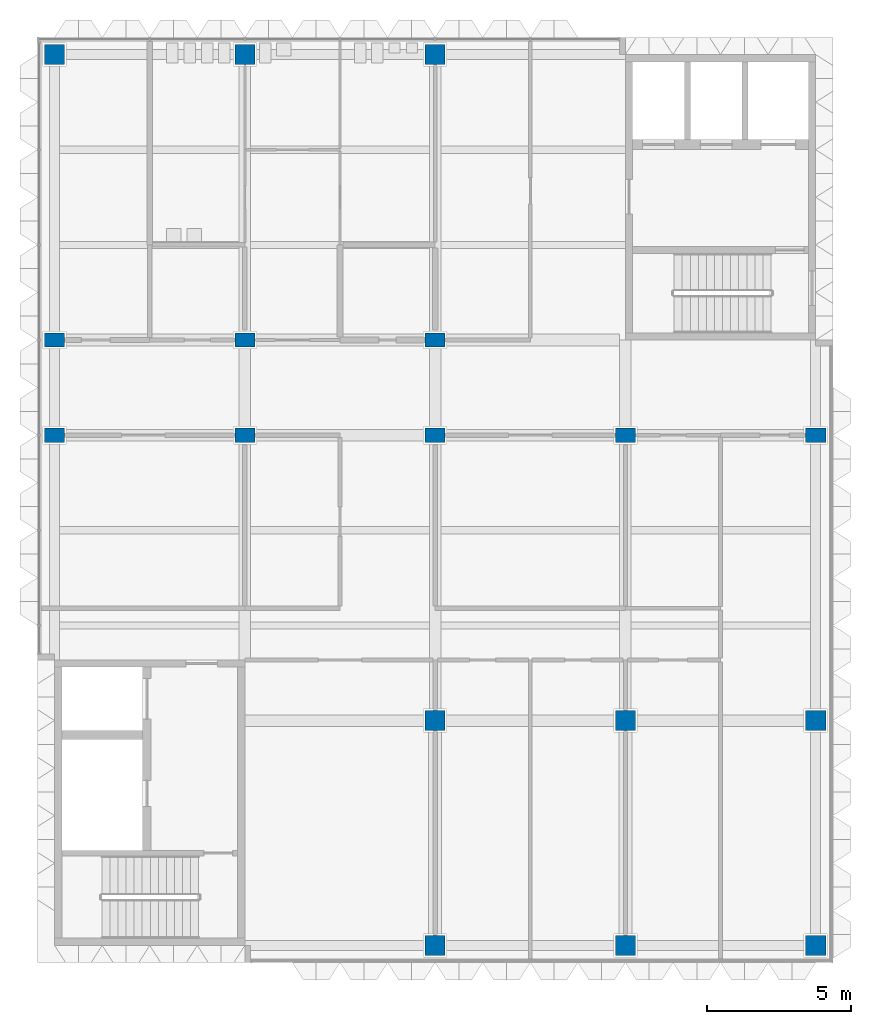
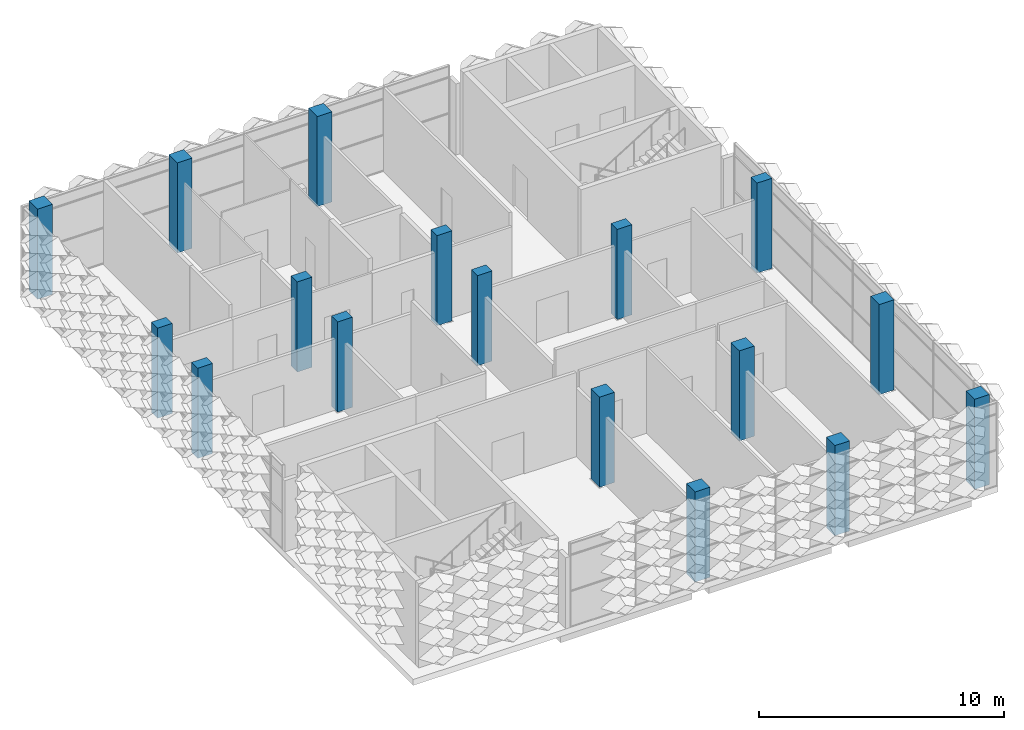
# One storey, part 1 of 29: 17 columns.
"""IFC4 building model written with IfcOpenShell, lengths in metres."""

from ifc_helpers import new_model, si_unit, direction, frame, origin, origin_2d, place, context, subcontext, project, spatial, rectangle, extrude, material, material_profile, profile_set, type_object, element, save


model = new_model("IFC4")

# Units and contexts
model_context = context("Model", 3, precision=1e-05, world=origin(), true_north=direction((0.0, 1.0)))
body_context = subcontext(model_context, "Body", "Model", "MODEL_VIEW")
ifc_project = project(units=[si_unit("LENGTHUNIT", "METRE"), si_unit("AREAUNIT", "SQUARE_METRE"), si_unit("VOLUMEUNIT", "CUBIC_METRE"), si_unit("PLANEANGLEUNIT", "RADIAN"), si_unit("MASSUNIT", "GRAM", prefix="KILO")], contexts=[model_context])

# Site, building, storey
site_placement = place(None, origin())
site = spatial("IfcSite", under=ifc_project, at=site_placement, CompositionType="ELEMENT")
building_placement = place(site_placement, origin())
building = spatial("IfcBuilding", under=site, at=building_placement, Name="Lantern Court Research Institute", CompositionType="ELEMENT")
storey_placement = place(building_placement, frame((0.0, 0.0, 32.39990234375)))
storey = spatial("IfcBuildingStorey", under=building, at=storey_placement, Name="L07", CompositionType="ELEMENT", Elevation=32.39990234375)

# Columns
ifc_material_1 = material(Name="Concrete C40/50", Category="concrete")
ifc_material_profile_1 = material_profile(ifc_material_1, rectangle(XDim=0.699951171875, YDim=0.5, at=origin_2d()), Name="RC column 700 x 500")
ifc_profile_set_1 = profile_set([ifc_material_profile_1], Name="Concrete C40/50")
column_type_1 = type_object("IfcColumnType", Name="RC column 700 x 500", PredefinedType="COLUMN", material=ifc_profile_set_1)
for number, where, z_axis, x_axis, name in (
    (1, (52.800048828125, 9.89990234375, 0.0), (0.0, 0.0, 1.0), (1.0, 0.0, 0.0), "Column L07 grid 9/B"),
    (2, (52.800048828125, 13.199951171875, 0.0), (0.0, 0.0, 1.0), (1.0, 0.0, 0.0), "Column L07 grid 9/C"),
    (3, (59.39990234375, 9.89990234375, 0.0), (0.0, 0.0, 1.0), (1.0, 0.0, 0.0), "Column L07 grid 10/B"),
    (4, (59.39990234375, 13.199951171875, 0.0), (0.0, 0.0, 1.0), (1.0, 0.0, 0.0), "Column L07 grid 10/C"),
    (5, (66.0, 9.89990234375, 0.0), (0.0, 0.0, 1.0), (1.0, 0.0, 0.0), "Column L07 grid 11/B"),
    (6, (66.0, 13.199951171875, 0.0), (0.0, 0.0, 1.0), (1.0, 0.0, 0.0), "Column L07 grid 11/C"),
    (7, (72.60009765625, 9.89990234375, 0.0), (0.0, 0.0, 1.0), (1.0, 0.0, 0.0), "Column L07 grid 12/B"),
    (8, (79.199951171875, 9.89990234375, 0.0), (0.0, 0.0, 1.0), (1.0, 0.0, 0.0), "Column L07 grid 13/B"),
):
    element("IfcColumn", number, at=place(storey_placement, frame(where, z_axis=z_axis, x_axis=x_axis)), inside=storey, type_object=column_type_1, Name=name, PredefinedType="COLUMN", context=body_context, shape_type="SweptSolid", body=[
        extrude(rectangle(XDim=0.699951171875, YDim=0.5, at=origin_2d()), origin(), (0.0, 0.0, 1.0), 4.5),
    ])
ifc_material_2 = material(Name="Concrete C40/50", Category="concrete")
ifc_material_profile_2 = material_profile(ifc_material_2, rectangle(XDim=0.699951171875, YDim=0.699951171875, at=origin_2d()), Name="RC column 700 x 700")
ifc_profile_set_2 = profile_set([ifc_material_profile_2], Name="Concrete C40/50")
column_type_2 = type_object("IfcColumnType", Name="RC column 700 x 700", PredefinedType="COLUMN", material=ifc_profile_set_2)
for number, where, z_axis, x_axis, name in (
    (9, (52.800048828125, 23.10009765625, 0.0), (0.0, 0.0, 1.0), (1.0, 0.0, 0.0), "Column L07 grid 9/D"),
    (10, (59.39990234375, 23.10009765625, 0.0), (0.0, 0.0, 1.0), (1.0, 0.0, 0.0), "Column L07 grid 10/D"),
    (11, (66.0, -7.800048828125, 0.0), (0.0, 0.0, 1.0), (1.0, 0.0, 0.0), "Column L07 grid 11/Z"),
    (12, (66.0, 0.0, 0.0), (0.0, 0.0, 1.0), (1.0, 0.0, 0.0), "Column L07 grid 11/A"),
    (13, (66.0, 23.10009765625, 0.0), (0.0, 0.0, 1.0), (1.0, 0.0, 0.0), "Column L07 grid 11/D"),
    (14, (72.60009765625, -7.800048828125, 0.0), (0.0, 0.0, 1.0), (1.0, 0.0, 0.0), "Column L07 grid 12/Z"),
    (15, (72.60009765625, 0.0, 0.0), (0.0, 0.0, 1.0), (1.0, 0.0, 0.0), "Column L07 grid 12/A"),
    (16, (79.199951171875, -7.800048828125, 0.0), (0.0, 0.0, 1.0), (1.0, 0.0, 0.0), "Column L07 grid 13/Z"),
    (17, (79.199951171875, 0.0, 0.0), (0.0, 0.0, 1.0), (1.0, 0.0, 0.0), "Column L07 grid 13/A"),
):
    element("IfcColumn", number, at=place(storey_placement, frame(where, z_axis=z_axis, x_axis=x_axis)), inside=storey, type_object=column_type_2, Name=name, PredefinedType="COLUMN", context=body_context, shape_type="SweptSolid", body=[
        extrude(rectangle(XDim=0.699951171875, YDim=0.699951171875, at=origin_2d()), origin(), (0.0, 0.0, 1.0), 4.5),
    ])

save(model, "model.ifc")
